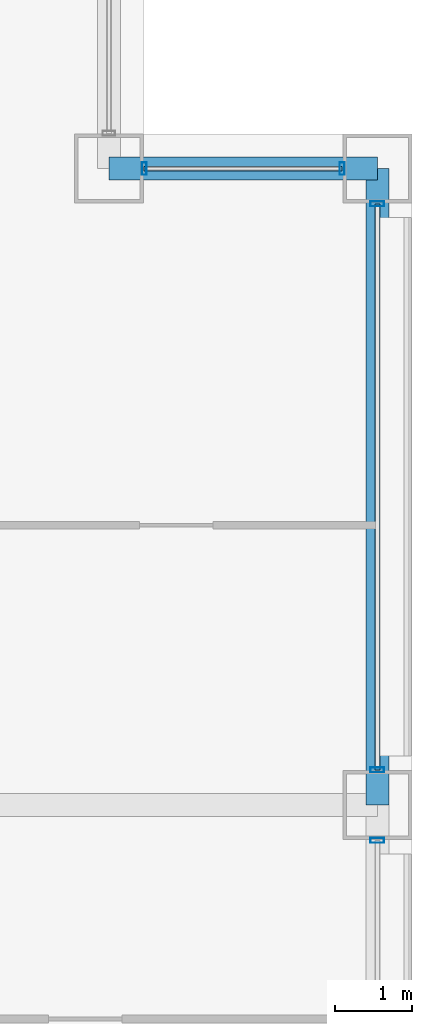
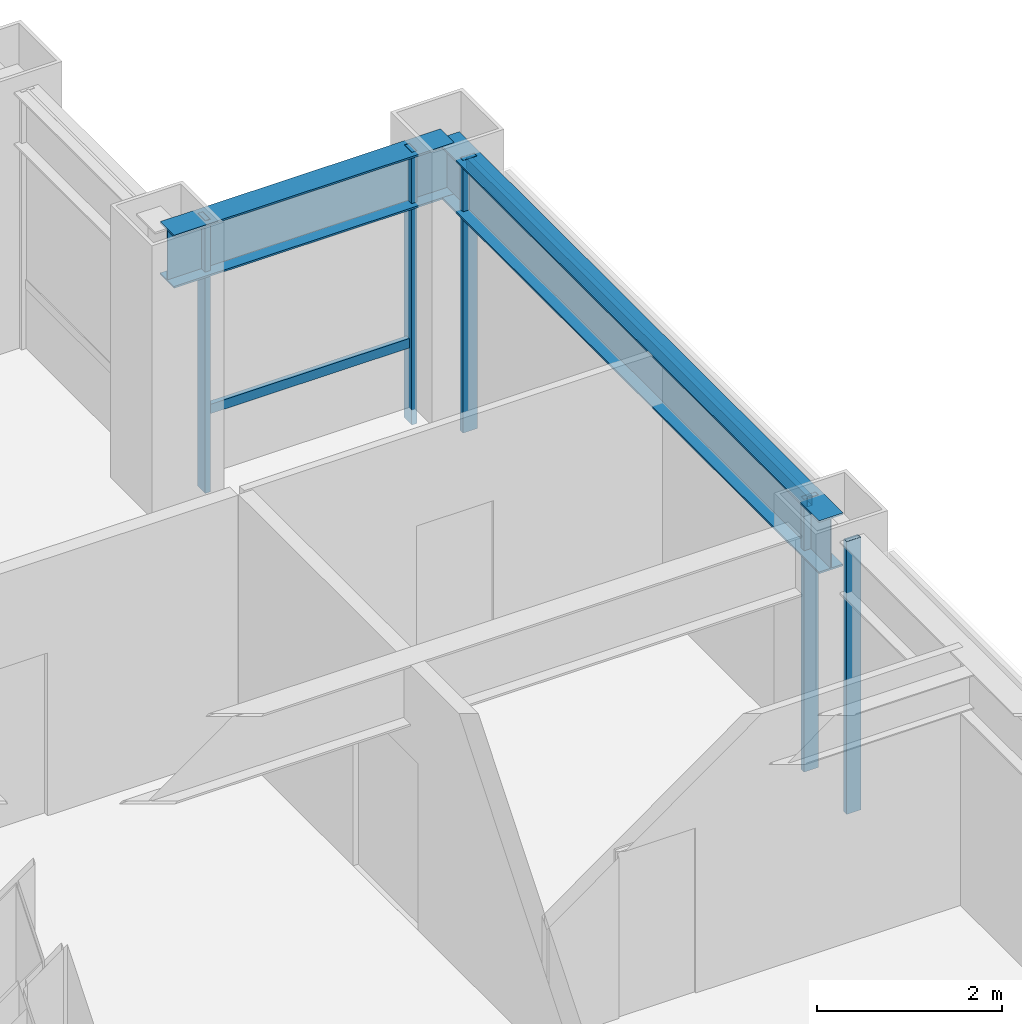
# One storey, part 20 of 28: 7 members, 2 beams, 3 elements without a shape of their own.
"""IFC4 building model written with IfcOpenShell, lengths in metres."""

from ifc_helpers import new_model, si_unit, direction, frame, origin, origin_2d, place, context, subcontext, project, spatial, hollow_rectangle, i_section, extrude, material, layer, layer_set, material_profile, profile_set, type_object, element, aggregate, save


model = new_model("IFC4")

# Units and contexts
model_context = context("Model", 3, precision=1e-05, world=origin(), true_north=direction((0.0, 1.0)))
body_context = subcontext(model_context, "Body", "Model", "MODEL_VIEW")
ifc_project = project(units=[si_unit("LENGTHUNIT", "METRE"), si_unit("AREAUNIT", "SQUARE_METRE"), si_unit("VOLUMEUNIT", "CUBIC_METRE"), si_unit("PLANEANGLEUNIT", "RADIAN"), si_unit("MASSUNIT", "GRAM", prefix="KILO")], contexts=[model_context])

# Site, building, storey
site_placement = place(None, origin())
site = spatial("IfcSite", under=ifc_project, at=site_placement, CompositionType="ELEMENT")
building_placement = place(site_placement, origin())
building = spatial("IfcBuilding", under=site, at=building_placement, Name="Brelmoor Portico Tower", CompositionType="ELEMENT")
storey_placement = place(building_placement, frame((0.0, 0.0, 70.800048828125)))
storey = spatial("IfcBuildingStorey", under=building, at=storey_placement, Name="L18", CompositionType="ELEMENT", Elevation=70.800048828125)

# Beams
ifc_material_1 = material(Name="Steel Q355B", Category="steel")
ifc_material_profile_1 = material_profile(ifc_material_1, i_section(OverallWidth=0.300048828125, OverallDepth=0.699951171875, WebThickness=0.012939453125, FlangeThickness=0.02392578125, at=origin_2d()), Name="HN 700x300x13x24")
ifc_profile_set_1 = profile_set([ifc_material_profile_1], Name="Steel Q355B")
beam_type = type_object("IfcBeamType", Name="BM-SP-700", PredefinedType="SPANDREL", material=ifc_profile_set_1)
beam_1_placement = place(storey_placement, frame((21.050048828125, 18.050048828125, 3.050048828125), z_axis=(1.0, 0.0, 0.0), x_axis=(0.0, 1.0, 0.0)))
element("IfcBeam", 1, at=beam_1_placement, inside=storey, type_object=beam_type, Name="L18 Perimeter Spandrel Beam SP-09", PredefinedType="SPANDREL", context=body_context, shape_type="SweptSolid", body=[
    extrude(i_section(OverallWidth=0.300048828125, OverallDepth=0.699951171875, WebThickness=0.012939453125, FlangeThickness=0.02392578125, at=origin_2d()), origin(), (0.0, 0.0, 1.0), 3.5),
])
beam_2_placement = place(storey_placement, frame((24.550048828125, 9.75, 3.050048828125), z_axis=(0.0, 1.0, 0.0), x_axis=(-1.0, 0.0, 0.0)))
element("IfcBeam", 2, at=beam_2_placement, inside=storey, type_object=beam_type, Name="L18 Perimeter Spandrel Beam SP-24", PredefinedType="SPANDREL", context=body_context, shape_type="SweptSolid", body=[
    extrude(i_section(OverallWidth=0.300048828125, OverallDepth=0.699951171875, WebThickness=0.012939453125, FlangeThickness=0.02392578125, at=origin_2d()), origin(), (0.0, 0.0, 1.0), 8.300048828125),
])

# Curtain wall, members
ifc_material_2 = material(Name="Anodised Aluminium Alloy 6063-T6", Category="aluminium")
ifc_layer_1 = layer(ifc_material_2, 0.179931640625)
ifc_layer_set_1 = layer_set([ifc_layer_1], Name="Anodised Aluminium Alloy 6063-T6")
curtain_wall_type_1 = type_object("IfcCurtainWallType", Name="CW-NOTCH-CHAMFER", PredefinedType="NOTDEFINED", material=ifc_layer_set_1)
curtain_wall_1_placement = place(storey_placement, origin())
curtain_wall_1 = element("IfcCurtainWall", 3, at=curtain_wall_1_placement, inside=storey, type_object=curtain_wall_type_1, Name="L18 Curtain Wall CWN-L18-NEH", PredefinedType="NOTDEFINED")
ifc_material_profile_2 = material_profile(ifc_material_2, hollow_rectangle(XDim=0.06494140625, YDim=0.1650390625, WallThickness=0.00390625, at=origin_2d()), Name="ALU MULLION 65x165")
ifc_profile_set_2 = profile_set([ifc_material_profile_2], Name="Anodised Aluminium Alloy 6063-T6")
member_type_1 = type_object("IfcMemberType", Name="MB-CW-MULL-165", PredefinedType="MULLION", material=ifc_profile_set_2)
member_1_placement = place(storey_placement, frame((21.510009765625, 18.050048828125, -0.199951171875), z_axis=(0.0, 0.0, 1.0), x_axis=(1.0, 0.0, 0.0)))
member_1 = element("IfcMember", 4, at=member_1_placement, type_object=member_type_1, Name="CWN-L18-NEH Mullion 00", PredefinedType="MULLION", context=body_context, shape_type="SweptSolid", body=[
    extrude(hollow_rectangle(XDim=0.06494140625, YDim=0.1650390625, WallThickness=0.00390625, at=origin_2d()), origin(), (0.0, 0.0, 1.0), 3.599853515625),
])
member_2_placement = place(storey_placement, frame((24.090087890625, 18.050048828125, -0.199951171875), z_axis=(0.0, 0.0, 1.0), x_axis=(1.0, 0.0, 0.0)))
member_2 = element("IfcMember", 5, at=member_2_placement, type_object=member_type_1, Name="CWN-L18-NEH Mullion 01", PredefinedType="MULLION", context=body_context, shape_type="SweptSolid", body=[
    extrude(hollow_rectangle(XDim=0.06494140625, YDim=0.1650390625, WallThickness=0.00390625, at=origin_2d()), origin(), (0.0, 0.0, 1.0), 3.599853515625),
])

# Curtain wall, member
ifc_layer_2 = layer(ifc_material_2, 0.179931640625)
ifc_layer_set_2 = layer_set([ifc_layer_2], Name="Anodised Aluminium Alloy 6063-T6")
curtain_wall_type_2 = type_object("IfcCurtainWallType", Name="CW-TOWER-Z1-XB", PredefinedType="NOTDEFINED", material=ifc_layer_set_2)
curtain_wall_2_placement = place(storey_placement, origin())
curtain_wall_2 = element("IfcCurtainWall", 6, at=curtain_wall_2_placement, inside=storey, type_object=curtain_wall_type_2, Name="L18 Curtain Wall CW-L18-04-2", PredefinedType="NOTDEFINED")
ifc_material_profile_3 = material_profile(ifc_material_2, hollow_rectangle(XDim=0.06494140625, YDim=0.179931640625, WallThickness=0.00390625, at=origin_2d()), Name="ALU MULLION 65x180")
ifc_profile_set_3 = profile_set([ifc_material_profile_3], Name="Anodised Aluminium Alloy 6063-T6")
member_type_2 = type_object("IfcMemberType", Name="MB-CW-MULL-180", PredefinedType="MULLION", material=ifc_profile_set_3)
member_3_placement = place(storey_placement, frame((24.550048828125, 9.2900390625, -0.199951171875), z_axis=(0.0, 0.0, 1.0), x_axis=(0.0, 1.0, 0.0)))
member_3 = element("IfcMember", 7, at=member_3_placement, type_object=member_type_2, Name="CW-L18-04-2 Mullion 02", PredefinedType="MULLION", context=body_context, shape_type="SweptSolid", body=[
    extrude(hollow_rectangle(XDim=0.06494140625, YDim=0.179931640625, WallThickness=0.00390625, at=origin_2d()), origin(), (0.0, 0.0, 1.0), 3.599853515625),
])
aggregate(curtain_wall_2, [member_3])

# Curtain wall, members
curtain_wall_3_placement = place(storey_placement, origin())
curtain_wall_3 = element("IfcCurtainWall", 8, at=curtain_wall_3_placement, inside=storey, type_object=curtain_wall_type_2, Name="L18 Curtain Wall CW-L18-04-3", PredefinedType="NOTDEFINED")
member_4_placement = place(storey_placement, frame((24.550048828125, 10.2099609375, -0.199951171875), z_axis=(0.0, 0.0, 1.0), x_axis=(0.0, 1.0, 0.0)))
member_4 = element("IfcMember", 9, at=member_4_placement, type_object=member_type_2, Name="CW-L18-04-3 Mullion 00", PredefinedType="MULLION", context=body_context, shape_type="SweptSolid", body=[
    extrude(hollow_rectangle(XDim=0.06494140625, YDim=0.179931640625, WallThickness=0.00390625, at=origin_2d()), origin(), (0.0, 0.0, 1.0), 3.599853515625),
])
member_5_placement = place(storey_placement, frame((24.550048828125, 17.590087890625, -0.199951171875), z_axis=(0.0, 0.0, 1.0), x_axis=(0.0, 1.0, 0.0)))
member_5 = element("IfcMember", 10, at=member_5_placement, type_object=member_type_2, Name="CW-L18-04-3 Mullion 01", PredefinedType="MULLION", context=body_context, shape_type="SweptSolid", body=[
    extrude(hollow_rectangle(XDim=0.06494140625, YDim=0.179931640625, WallThickness=0.00390625, at=origin_2d()), origin(), (0.0, 0.0, 1.0), 3.599853515625),
])

# Member
ifc_material_profile_4 = material_profile(ifc_material_2, hollow_rectangle(XDim=0.06005859375, YDim=0.125, WallThickness=0.00341796875, at=origin_2d()), Name="ALU TRANSOM 60x125")
ifc_profile_set_4 = profile_set([ifc_material_profile_4], Name="Anodised Aluminium Alloy 6063-T6")
member_type_3 = type_object("IfcMemberType", Name="MB-CW-TRAN-125", PredefinedType="USERDEFINED", material=ifc_profile_set_4)
member_6_placement = place(storey_placement, frame((21.510009765625, 18.050048828125, 0.849853515625), z_axis=(1.0, 0.0, 0.0), x_axis=(0.0, 1.0, 0.0)))
member_6 = element("IfcMember", 11, at=member_6_placement, type_object=member_type_3, Name="CWN-L18-NEH Transom 1-00", ObjectType="TRANSOM", PredefinedType="USERDEFINED", context=body_context, shape_type="SweptSolid", body=[
    extrude(hollow_rectangle(XDim=0.06005859375, YDim=0.125, WallThickness=0.00341796875, at=origin_2d()), origin(), (0.0, 0.0, 1.0), 2.580078125),
])

aggregate(curtain_wall_1, [member_1, member_2, member_6])

ifc_material_profile_5 = material_profile(ifc_material_2, hollow_rectangle(XDim=0.06494140625, YDim=0.139892578125, WallThickness=0.00390625, at=origin_2d()), Name="ALU TRANSOM 65x140")
ifc_profile_set_5 = profile_set([ifc_material_profile_5], Name="Anodised Aluminium Alloy 6063-T6")
member_type_4 = type_object("IfcMemberType", Name="MB-CW-TRAN-140", PredefinedType="USERDEFINED", material=ifc_profile_set_5)
member_7_placement = place(storey_placement, frame((24.550048828125, 10.2099609375, 3.329833984375), z_axis=(0.0, 1.0, 0.0), x_axis=(-1.0, 0.0, 0.0)))
member_7 = element("IfcMember", 12, at=member_7_placement, type_object=member_type_4, Name="CW-L18-04-3 Transom 1-00", ObjectType="TRANSOM", PredefinedType="USERDEFINED", context=body_context, shape_type="SweptSolid", body=[
    extrude(hollow_rectangle(XDim=0.06494140625, YDim=0.139892578125, WallThickness=0.00390625, at=origin_2d()), origin(), (0.0, 0.0, 1.0), 7.380126953125),
])

aggregate(curtain_wall_3, [member_4, member_5, member_7])

save(model, "model.ifc")
